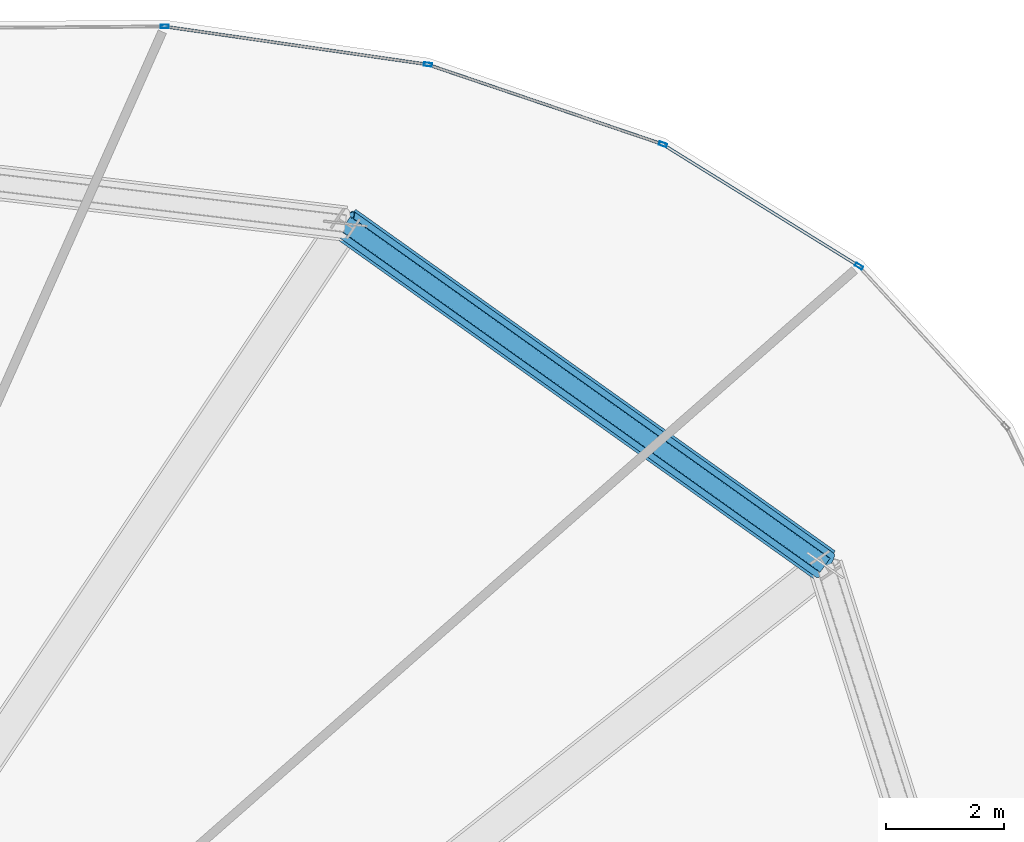
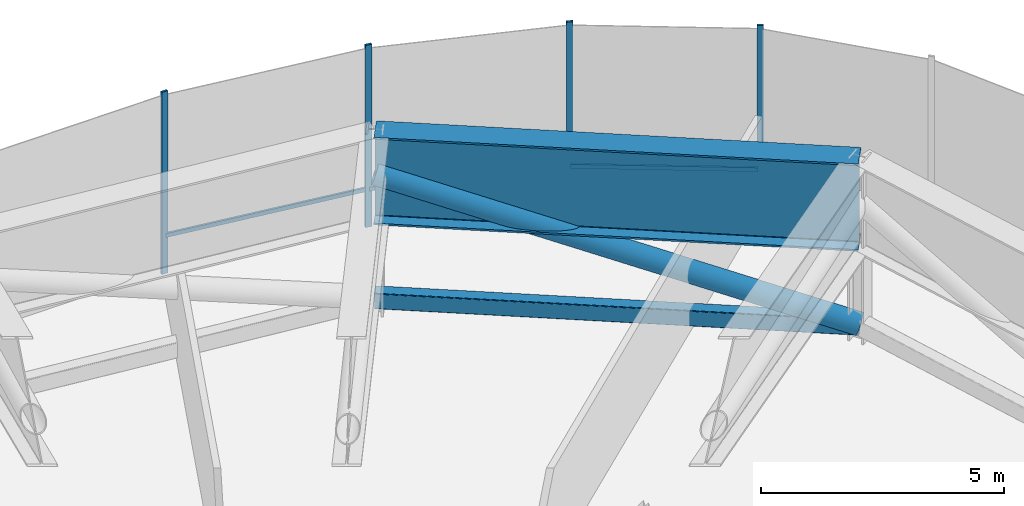
# One storey, part 22 of 30: 9 members, 1 beam, 1 element without a shape of its own.
"""IFC4 building model written with IfcOpenShell, lengths in metres."""

from ifc_helpers import new_model, si_unit, direction, frame, origin, origin_2d, place, context, subcontext, project, spatial, hollow_rectangle, hollow_circle, i_section, extrude, source, transform, mapped, material, layer, layer_set, material_profile, profile_set, type_object, element, aggregate, save


model = new_model("IFC4")

# Units and contexts
model_context = context("Model", 3, precision=1e-05, world=origin(), true_north=direction((0.0, 1.0)))
body_context = subcontext(model_context, "Body", "Model", "MODEL_VIEW")
ifc_project = project(units=[si_unit("LENGTHUNIT", "METRE"), si_unit("AREAUNIT", "SQUARE_METRE"), si_unit("VOLUMEUNIT", "CUBIC_METRE"), si_unit("PLANEANGLEUNIT", "RADIAN"), si_unit("MASSUNIT", "GRAM", prefix="KILO"), si_unit("THERMODYNAMICTEMPERATUREUNIT", "KELVIN")], contexts=[model_context])

# Site, building, storey
site_placement = place(None, origin())
site = spatial("IfcSite", under=ifc_project, at=site_placement, CompositionType="ELEMENT")
building_placement = place(site_placement, origin())
building = spatial("IfcBuilding", under=site, at=building_placement, Name="Kethvar Cultural Tower", CompositionType="ELEMENT")
storey_placement = place(building_placement, frame((0.0, 0.0, 171.39990234375)))
storey = spatial("IfcBuildingStorey", under=building, at=storey_placement, Name="L44", CompositionType="ELEMENT", Elevation=171.39990234375)

# Beam
ifc_material_1 = material(Name="Steel S460M", Category="steel")
ifc_material_profile_1 = material_profile(ifc_material_1, i_section(OverallWidth=0.60009765625, OverallDepth=2.199951171875, WebThickness=0.028076171875, FlangeThickness=0.044921875, FilletRadius=0.02197265625, at=origin_2d()), Name="Steel S460M — PG2200x600x45x28")
ifc_profile_set_1 = profile_set([ifc_material_profile_1], Name="Steel S460M — PG2200x600x45x28")
beam_type = type_object("IfcBeamType", Name="BM-TR2200", PredefinedType="BEAM", material=ifc_profile_set_1)
shared_shape_1 = source(origin(), body_context, "Body", "SweptSolid", [
    extrude(i_section(OverallWidth=0.60009765625, OverallDepth=2.199951171875, WebThickness=0.028076171875, FlangeThickness=0.044921875, FilletRadius=0.02197265625, at=origin_2d()), origin(), (0.0, 0.0, 1.0), 10.0234375),
])
beam_placement = place(storey_placement, frame((68.568603515625, 42.34521484375, 3.47802734375), z_axis=(-0.814470106239, 0.580205520521, 0.0), x_axis=(-0.580205520521, -0.814470106239, 0.0)))
element("IfcBeam", 1, at=beam_placement, inside=storey, type_object=beam_type, Name="L44 Ring Belt Girder BG-02", PredefinedType="BEAM", context=body_context, shape_type="MappedRepresentation", body=[
    mapped(shared_shape_1, transform((0.0, 0.0, 0.0), scale=1.0)),
])

# Members
ifc_material_profile_2 = material_profile(ifc_material_1, hollow_rectangle(XDim=0.300048828125, YDim=0.39990234375, WallThickness=0.01611328125, InnerFilletRadius=0.01611328125, OuterFilletRadius=0.031982421875, at=origin_2d()), Name="Steel S460M — RHS400x300x16")
ifc_profile_set_2 = profile_set([ifc_material_profile_2], Name="Steel S460M — RHS400x300x16")
member_type_1 = type_object("IfcMemberType", Name="MB-CHD-400", PredefinedType="CHORD", material=ifc_profile_set_2)
shared_shape_2 = source(origin(), body_context, "Body", "SweptSolid", [
    extrude(hollow_rectangle(XDim=0.300048828125, YDim=0.39990234375, WallThickness=0.01611328125, InnerFilletRadius=0.01611328125, OuterFilletRadius=0.031982421875, at=origin_2d()), origin(), (0.0, 0.0, 1.0), 10.0234375),
])
member_1_placement = place(storey_placement, frame((68.568603515625, 42.34521484375, 0.35009765625), z_axis=(-0.814470106239, 0.580205520521, 0.0), x_axis=(-0.580205520521, -0.814470106239, 0.0)))
element("IfcMember", 2, at=member_1_placement, inside=storey, type_object=member_type_1, Name="L44 Ring Belt Bottom Chord BC-02", PredefinedType="CHORD", context=body_context, shape_type="MappedRepresentation", body=[
    mapped(shared_shape_2, transform((0.0, 0.0, 0.0), scale=1.0)),
])
ifc_material_profile_3 = material_profile(ifc_material_1, hollow_circle(Radius=0.25390625, WallThickness=0.02001953125, at=origin_2d()), Name="Steel S460M — CHS508x20")
ifc_profile_set_3 = profile_set([ifc_material_profile_3], Name="Steel S460M — CHS508x20")
member_type_2 = type_object("IfcMemberType", Name="MB-OUT-508", PredefinedType="BRACE", material=ifc_profile_set_3)
shared_shape_3 = source(origin(), body_context, "Body", "SweptSolid", [
    extrude(hollow_circle(Radius=0.25390625, WallThickness=0.02001953125, at=origin_2d()), origin(), (0.0, 0.0, 1.0), 10.500244140625),
])
member_2_placement = place(storey_placement, frame((68.568603515625, 42.34521484375, 0.35009765625), z_axis=(-0.777492630587, 0.553863810318, 0.297892747483), x_axis=(-0.580205520521, -0.814470106239, 0.0)))
element("IfcMember", 3, at=member_2_placement, inside=storey, type_object=member_type_2, Name="L44 Ring Belt Diagonal BD-02", PredefinedType="BRACE", context=body_context, shape_type="MappedRepresentation", body=[
    mapped(shared_shape_3, transform((0.0, 0.0, 0.0), scale=1.0)),
])

# Curtain wall, members
ifc_material_2 = material(Name="Aluminium 6063-T6", Category="aluminium")
ifc_layer = layer(ifc_material_2, 0.179931640625, Name="Aluminium 6063-T6", Category="aluminium")
ifc_layer_set = layer_set([ifc_layer], Name="Aluminium 6063-T6 (180 mm)")
curtain_wall_type = type_object("IfcCurtainWallType", Name="CW-SYS-04-Z34", PredefinedType="NOTDEFINED", material=ifc_layer_set)
curtain_wall_placement = place(storey_placement, origin())
curtain_wall = element("IfcCurtainWall", 4, at=curtain_wall_placement, inside=storey, type_object=curtain_wall_type, Name="L44 Curtain Wall Run 01", PredefinedType="NOTDEFINED")
ifc_material_profile_4 = material_profile(ifc_material_2, hollow_rectangle(XDim=0.06005859375, YDim=0.139892578125, WallThickness=0.0048828125, at=origin_2d()), Name="Aluminium 6063-T6 — RHS140x60x5")
ifc_profile_set_4 = profile_set([ifc_material_profile_4], Name="Aluminium 6063-T6 — RHS140x60x5")
member_type_3 = type_object("IfcMemberType", Name="CW-SYS-04-Z34-MUL", PredefinedType="MULLION", material=ifc_profile_set_4)
shared_shape_4 = source(origin(), body_context, "Body", "SweptSolid", [
    extrude(hollow_rectangle(XDim=0.06005859375, YDim=0.139892578125, WallThickness=0.0048828125, at=origin_2d()), origin(), (0.0, 0.0, 1.0), 4.580078125),
])
member_3_placement = place(storey_placement, frame((69.14599609375, 47.43603515625, 0.0), z_axis=(0.0, 0.0, 1.0), x_axis=(-0.527311751475, -0.849671887705, 0.0)))
member_3 = element("IfcMember", 5, at=member_3_placement, type_object=member_type_3, Name="CW-L44-R01 Mullion 2", PredefinedType="MULLION", context=body_context, shape_type="MappedRepresentation", body=[
    mapped(shared_shape_4, transform((0.0, 0.0, 0.0), scale=1.0)),
])
member_4_placement = place(storey_placement, frame((65.81005859375, 49.509765625, 0.0), z_axis=(0.0, 0.0, 1.0), x_axis=(-0.321175019997, -0.947019855404, 0.0)))
member_4 = element("IfcMember", 6, at=member_4_placement, type_object=member_type_3, Name="CW-L44-R01 Mullion 3", PredefinedType="MULLION", context=body_context, shape_type="MappedRepresentation", body=[
    mapped(shared_shape_4, transform((0.0, 0.0, 0.0), scale=1.0)),
])
member_5_placement = place(storey_placement, frame((61.8076171875, 50.869140625, 0.0), z_axis=(0.0, 0.0, 1.0), x_axis=(-0.142767131147, -0.989756306504, 0.0)))
member_5 = element("IfcMember", 7, at=member_5_placement, type_object=member_type_3, Name="CW-L44-R01 Mullion 4", PredefinedType="MULLION", context=body_context, shape_type="MappedRepresentation", body=[
    mapped(shared_shape_4, transform((0.0, 0.0, 0.0), scale=1.0)),
])
member_6_placement = place(storey_placement, frame((57.328857421875, 51.516357421875, 0.0), z_axis=(0.0, 0.0, 1.0), x_axis=(0.007592109309, -0.999971179523, 0.0)))
member_6 = element("IfcMember", 8, at=member_6_placement, type_object=member_type_3, Name="CW-L44-R01 Mullion 5", PredefinedType="MULLION", context=body_context, shape_type="MappedRepresentation", body=[
    mapped(shared_shape_4, transform((0.0, 0.0, 0.0), scale=1.0)),
])
ifc_material_profile_5 = material_profile(ifc_material_2, hollow_rectangle(XDim=0.050048828125, YDim=0.10009765625, WallThickness=0.00390625, at=origin_2d()), Name="Aluminium 6063-T6 — RHS100x50x4")
ifc_profile_set_5 = profile_set([ifc_material_profile_5], Name="Aluminium 6063-T6 — RHS100x50x4")
member_type_4 = type_object("IfcMemberType", Name="CW-SYS-04-Z34-TRN", PredefinedType="USERDEFINED", material=ifc_profile_set_5)
shared_shape_5 = source(origin(), body_context, "Body", "SweptSolid", [
    extrude(hollow_rectangle(XDim=0.050048828125, YDim=0.10009765625, WallThickness=0.00390625, at=origin_2d()), origin(), (0.0, 0.0, 1.0), 3.866455078125),
])
member_7_placement = place(storey_placement, frame((69.109375, 47.458984375, 0.9501953125), z_axis=(-0.849668457916, 0.527317277947, 0.0), x_axis=(-0.527317277947, -0.849668457916, 0.0)))
member_7 = element("IfcMember", 9, at=member_7_placement, type_object=member_type_4, Name="CW-L44-R01 Transom 2", ObjectType="TRANSOM", PredefinedType="USERDEFINED", context=body_context, shape_type="MappedRepresentation", body=[
    mapped(shared_shape_5, transform((0.0, 0.0, 0.0), scale=1.0)),
])
shared_shape_6 = source(origin(), body_context, "Body", "SweptSolid", [
    extrude(hollow_rectangle(XDim=0.050048828125, YDim=0.10009765625, WallThickness=0.00390625, at=origin_2d()), origin(), (0.0, 0.0, 1.0), 4.16064453125),
])
member_8_placement = place(storey_placement, frame((65.769287109375, 49.523681640625, 0.9501953125), z_axis=(-0.947009620769, 0.321205196362, 0.0), x_axis=(-0.321205196362, -0.947009620769, 0.0)))
member_8 = element("IfcMember", 10, at=member_8_placement, type_object=member_type_4, Name="CW-L44-R01 Transom 3", ObjectType="TRANSOM", PredefinedType="USERDEFINED", context=body_context, shape_type="MappedRepresentation", body=[
    mapped(shared_shape_6, transform((0.0, 0.0, 0.0), scale=1.0)),
])
shared_shape_7 = source(origin(), body_context, "Body", "SweptSolid", [
    extrude(hollow_rectangle(XDim=0.050048828125, YDim=0.10009765625, WallThickness=0.00390625, at=origin_2d()), origin(), (0.0, 0.0, 1.0), 4.45556640625),
])
member_9_placement = place(storey_placement, frame((61.764892578125, 50.875244140625, 0.9501953125), z_axis=(-0.989752377144, 0.14279436942, 0.0), x_axis=(-0.14279436942, -0.989752377144, 0.0)))
member_9 = element("IfcMember", 11, at=member_9_placement, type_object=member_type_4, Name="CW-L44-R01 Transom 4", ObjectType="TRANSOM", PredefinedType="USERDEFINED", context=body_context, shape_type="MappedRepresentation", body=[
    mapped(shared_shape_7, transform((0.0, 0.0, 0.0), scale=1.0)),
])
aggregate(curtain_wall, [member_3, member_4, member_5, member_6, member_7, member_8, member_9])

save(model, "model.ifc")
